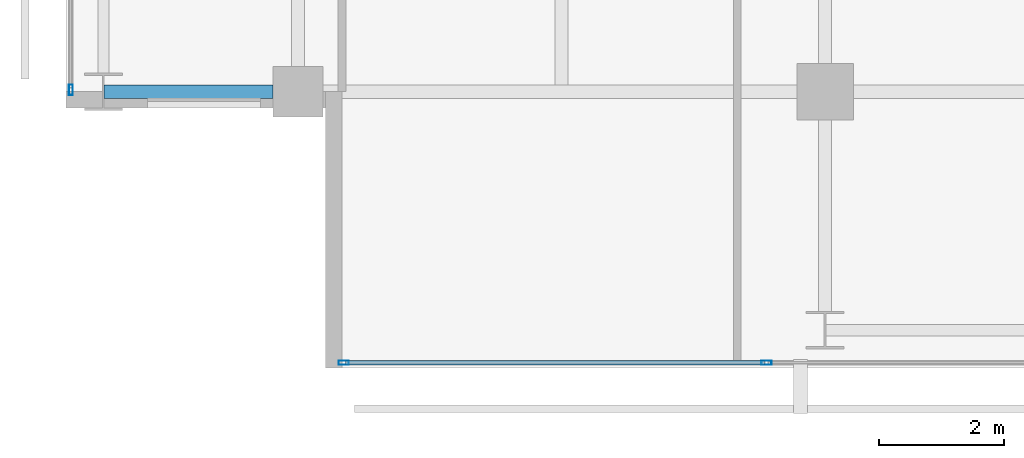
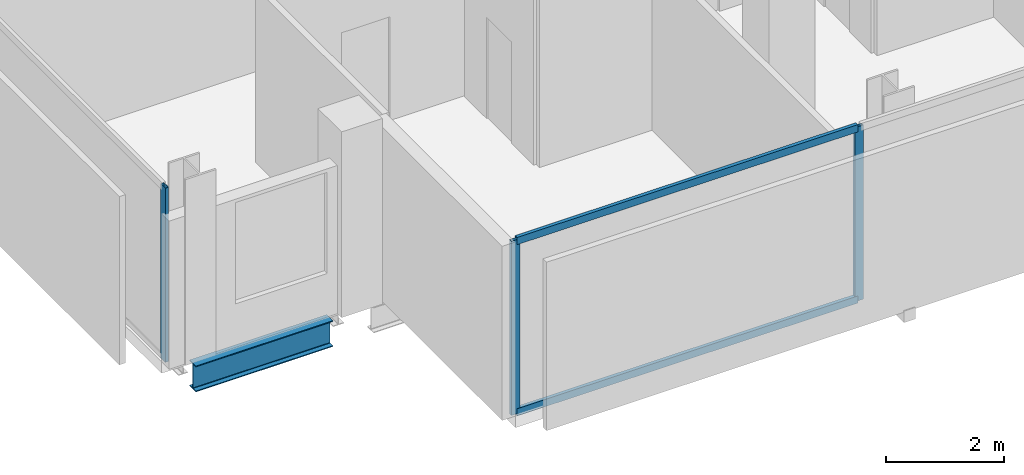
# One storey, part 2 of 33: 5 members, 1 beam, 2 elements without a shape of their own.
"""IFC4 building model written with IfcOpenShell, lengths in metres."""

import ifcopenshell
import ifcopenshell.guid

model = None  # the IFC model being written
_history = None  # IfcOwnerHistory: only IFC2X3 demands one
_inside = {}  # id of a spatial element -> (the spatial element, [elements in it])
_under = {}  # id of a project, library or spatial element -> (it, [spatial elements below it])
_declared = {}  # id of a project -> (the project, [libraries it declares])
_typed = {}  # id of a type object -> (the type object, [elements of that type])
_made_of = {}  # id of a material, layer set ... -> (it, [elements and type objects made of it])


def new_model(schema):
    """Start an empty IFC model of exactly this schema.

    Asked for "IFC4X3", IfcOpenShell would pick the latest addendum, in which some entities
    have other attributes; the version numbers below select the first issue.
    IFC2X3 requires an IfcOwnerHistory on every rooted entity: one is made here for all.
    """
    global model, _history
    if schema == "IFC4X3":
        model = ifcopenshell.file(schema_version=(4, 3, 0, 0))
    else:
        model = ifcopenshell.file(schema=schema)
    _inside.clear()
    _under.clear()
    _declared.clear()
    _typed.clear()
    _made_of.clear()
    _history = None
    if model.schema == "IFC2X3":
        org = make("IfcOrganization", Name="unknown")
        user = make(
            "IfcPersonAndOrganization",
            ThePerson=make("IfcPerson", FamilyName="unknown"),
            TheOrganization=org,
        )
        app = make(
            "IfcApplication",
            ApplicationDeveloper=org,
            Version="unknown",
            ApplicationFullName="unknown",
            ApplicationIdentifier="unknown",
        )
        _history = make(
            "IfcOwnerHistory",
            OwningUser=user,
            OwningApplication=app,
            ChangeAction="ADDED",
            CreationDate=0,
        )
    return model


def make(cls, **values):
    """One entity of the class cls with the attributes given. An attribute that is None is left unset."""
    return model.create_entity(
        cls, **{name: value for name, value in values.items() if value is not None}
    )


def rooted(cls, **values):
    """An entity with a GlobalId (a new one), such as an element, a storey or a relation."""
    return make(cls, GlobalId=ifcopenshell.guid.new(), OwnerHistory=_history, **values)


def si_unit(unit_type, name, prefix=None):
    """IfcSIUnit, for example si_unit("LENGTHUNIT", "METRE", prefix="MILLI")."""
    return make("IfcSIUnit", UnitType=unit_type, Prefix=prefix, Name=name)


def assignment(units):
    """IfcUnitAssignment: the units of a project."""
    return None if units is None else make("IfcUnitAssignment", Units=units)


def point(xyz):
    """IfcCartesianPoint."""
    return None if xyz is None else make("IfcCartesianPoint", Coordinates=xyz)


def direction(xyz):
    """IfcDirection."""
    return None if xyz is None else make("IfcDirection", DirectionRatios=xyz)


def frame(location, z_axis=None, x_axis=None):
    """IfcAxis2Placement3D, a coordinate frame: its origin and axes. An axis left out is left unset."""
    return make(
        "IfcAxis2Placement3D",
        Location=point(location),
        Axis=direction(z_axis),
        RefDirection=direction(x_axis),
    )


def frame_2d(location, x_axis=None):
    """IfcAxis2Placement2D, a coordinate frame in the plane: its origin and x axis."""
    return make(
        "IfcAxis2Placement2D", Location=point(location), RefDirection=direction(x_axis)
    )


def origin():
    """The frame at (0, 0, 0) with its axes left unset."""
    return frame((0.0, 0.0, 0.0))


def origin_2d():
    """The frame at (0, 0) in the plane with its x axis left unset."""
    return frame_2d((0.0, 0.0))


def place(relative_to, where):
    """IfcLocalPlacement: puts the frame where relative to a parent placement (None: the world)."""
    return make(
        "IfcLocalPlacement", PlacementRelTo=relative_to, RelativePlacement=where
    )


def context(
    kind, dimensions, precision=None, world=None, true_north=None, identifier=None
):
    """IfcGeometricRepresentationContext, for example the 3D "Model" context."""
    return make(
        "IfcGeometricRepresentationContext",
        ContextIdentifier=identifier,
        ContextType=kind,
        CoordinateSpaceDimension=dimensions,
        Precision=precision,
        WorldCoordinateSystem=world,
        TrueNorth=true_north,
    )


def subcontext(parent, identifier, kind, view, scale=None):
    """IfcGeometricRepresentationSubContext, for example "Body" below "Model"."""
    return make(
        "IfcGeometricRepresentationSubContext",
        ContextIdentifier=identifier,
        ContextType=kind,
        ParentContext=parent,
        TargetScale=scale,
        TargetView=view,
    )


def project(units=None, contexts=None):
    """IfcProject with its units and contexts."""
    return rooted(
        "IfcProject",
        Name="project",
        RepresentationContexts=contexts,
        UnitsInContext=assignment(units),
    )


def spatial(cls, under=None, at=None, **own):
    """A site, building, storey or space (cls), placed at a placement, below another one or the project."""
    s = rooted(cls, ObjectPlacement=at, **own)
    if under is not None:
        _under.setdefault(under.id(), (under, []))[1].append(s)
    return s


def profile(cls, at=None, kind="AREA", **sizes):
    """A parametric profile (cls). Its sizes go by their IFC names, for example OverallWidth=200.0."""
    return make(cls, ProfileType=kind, Position=at, **sizes)


def hollow_rectangle(**sizes):
    """IfcRectangleHollowProfileDef."""
    return profile("IfcRectangleHollowProfileDef", **sizes)


def i_section(**sizes):
    """IfcIShapeProfileDef."""
    return profile("IfcIShapeProfileDef", **sizes)


def extrude(swept, where, along, depth):
    """IfcExtrudedAreaSolid: the profile swept, set in the frame where, extruded along a direction by depth."""
    return make(
        "IfcExtrudedAreaSolid",
        SweptArea=swept,
        Position=where,
        ExtrudedDirection=direction(along),
        Depth=depth,
    )


def shape(context_of_items, identifier, shape_type, items):
    """IfcShapeRepresentation: the items that make up one representation, for example the "Body"."""
    return make(
        "IfcShapeRepresentation",
        ContextOfItems=context_of_items,
        RepresentationIdentifier=identifier,
        RepresentationType=shape_type,
        Items=items,
    )


def material(Name=None, Category=None):
    """IfcMaterial."""
    return make("IfcMaterial", Name=Name, Category=Category)


def layer(
    of_material, thickness, ventilated=None, Name=None, Category=None, Priority=None
):
    """IfcMaterialLayer: one layer of a wall or slab, of a material (None: an air gap)."""
    return make(
        "IfcMaterialLayer",
        Material=of_material,
        LayerThickness=thickness,
        IsVentilated=ventilated,
        Name=Name,
        Category=Category,
        Priority=Priority,
    )


def layer_set(layers, Name=None):
    """IfcMaterialLayerSet."""
    return make("IfcMaterialLayerSet", MaterialLayers=layers, LayerSetName=Name)


def material_profile(
    of_material, cross_section, Name=None, Category=None, Priority=None
):
    """IfcMaterialProfile: a cross section and its material."""
    return make(
        "IfcMaterialProfile",
        Name=Name,
        Material=of_material,
        Profile=cross_section,
        Priority=Priority,
        Category=Category,
    )


def profile_set(profiles, Name=None, composite=None):
    """IfcMaterialProfileSet."""
    return make(
        "IfcMaterialProfileSet",
        Name=Name,
        MaterialProfiles=profiles,
        CompositeProfile=composite,
    )


def made_of(thing, what):
    """Note that an element or type object is made of a material, layer set ...; save() writes the relation."""
    if what is not None:
        _made_of.setdefault(what.id(), (what, []))[1].append(thing)
    return thing


def type_object(cls, material=None, **own):
    """A type object (cls), such as IfcWallType, which elements share."""
    return made_of(rooted(cls, **own), material)


def element(
    cls,
    number,
    at=None,
    inside=None,
    cuts=None,
    type_object=None,
    material=None,
    context=None,
    identifier="Body",
    shape_type=None,
    held_by="IfcProductDefinitionShape",
    body=None,
    shapes=None,
    **own,
):
    """One element of the class cls, such as IfcWall. Its Tag is "e" and its number.

    at: its placement. inside: the storey or other place that contains it. cuts: it is an
    opening in that element (IfcRelVoidsElement). A single representation is given by context,
    identifier, shape_type and body (its items); several are given by shapes. held_by: the class
    of the entity that holds the representations. save() writes the other relations.
    """
    e = rooted(cls, Tag="e%d" % number, ObjectPlacement=at, **own)
    if body is not None:
        shapes = [shape(context, identifier, shape_type, body)]
    if shapes is not None:
        e.Representation = make(held_by, Representations=shapes)
    if inside is not None:
        _inside.setdefault(inside.id(), (inside, []))[1].append(e)
    if cuts is not None:
        rooted(
            "IfcRelVoidsElement", RelatingBuildingElement=cuts, RelatedOpeningElement=e
        )
    if type_object is not None:
        _typed.setdefault(type_object.id(), (type_object, []))[1].append(e)
    return made_of(e, material)


def aggregate(whole, parts):
    """IfcRelAggregates: a whole, such as a stair, and the parts it consists of."""
    return rooted("IfcRelAggregates", RelatingObject=whole, RelatedObjects=parts)


def save(model, path):
    """Write the relations noted so far, then the file.

    IfcRelAggregates (storeys below a building ...), IfcRelContainedInSpatialStructure (elements
    in a storey), IfcRelDefinesByType, IfcRelAssociatesMaterial and IfcRelDeclares: one each for
    every whole, place, type object, material and project.
    """
    for whole, parts in _under.values():
        aggregate(whole, parts)
    for where, things in _inside.values():
        rooted(
            "IfcRelContainedInSpatialStructure",
            RelatedElements=things,
            RelatingStructure=where,
        )
    for kind, things in _typed.values():
        rooted("IfcRelDefinesByType", RelatedObjects=things, RelatingType=kind)
    for what, things in _made_of.values():
        rooted("IfcRelAssociatesMaterial", RelatedObjects=things, RelatingMaterial=what)
    for by, libraries in _declared.values():
        rooted("IfcRelDeclares", RelatingContext=by, RelatedDefinitions=libraries)
    model.write(path)


model = new_model("IFC4")

# Units and contexts
model_context = context("Model", 3, precision=1e-05, world=origin(), true_north=direction((0.0, 1.0)))
body_context = subcontext(model_context, "Body", "Model", "MODEL_VIEW")
ifc_project = project(units=[si_unit("LENGTHUNIT", "METRE"), si_unit("AREAUNIT", "SQUARE_METRE"), si_unit("VOLUMEUNIT", "CUBIC_METRE"), si_unit("PLANEANGLEUNIT", "RADIAN"), si_unit("MASSUNIT", "GRAM", prefix="KILO")], contexts=[model_context])

# Site, building, storey
site_placement = place(None, origin())
site = spatial("IfcSite", under=ifc_project, at=site_placement, CompositionType="ELEMENT")
building_placement = place(site_placement, origin())
building = spatial("IfcBuilding", under=site, at=building_placement, Name="Maruvema Waterfront Hotel and Observation Tower", CompositionType="ELEMENT")
storey_placement = place(building_placement, frame((0.0, 0.0, 204.39990234375)))
storey = spatial("IfcBuildingStorey", under=building, at=storey_placement, Name="L50", CompositionType="ELEMENT", Elevation=204.39990234375)

# Curtain wall, members
ifc_material_1 = material(Name="Anodised bronze aluminium and solar-control low-E IGU", Category="aluminium")
ifc_layer = layer(ifc_material_1, 0.159912109375, Name="Zone 2 Amber Inner Thermal Curtain Wall System CW-03")
ifc_layer_set = layer_set([ifc_layer], Name="Anodised bronze aluminium and solar-control low-E IGU")
curtain_wall_type = type_object("IfcCurtainWallType", Name="Zone 2 Amber Inner Thermal Curtain Wall System CW-03", PredefinedType="USERDEFINED", material=ifc_layer_set)
curtain_wall_1_placement = place(storey_placement, origin())
curtain_wall_1 = element("IfcCurtainWall", 1, at=curtain_wall_1_placement, inside=storey, type_object=curtain_wall_type, Name="L50 Curtain Wall CW-L50-S", ObjectType="UNITISED CURTAIN WALL", PredefinedType="USERDEFINED")
ifc_material_2 = material(Name="Anodised architectural bronze aluminium", Category="aluminium")
ifc_material_profile_1 = material_profile(ifc_material_2, hollow_rectangle(XDim=0.070068359375, YDim=0.14990234375, WallThickness=0.00390625, at=origin_2d()), Name="ALU-T70x150")
ifc_profile_set_1 = profile_set([ifc_material_profile_1], Name="Anodised architectural bronze aluminium")
member_type_1 = type_object("IfcMemberType", Name="Curtain Wall Horizontal Transom ALU-T70x150", PredefinedType="USERDEFINED", material=ifc_profile_set_1)
member_1_placement = place(storey_placement, frame((17.56005859375, 4.679931640625, 0.030029296875), z_axis=(1.0, 0.0, 0.0), x_axis=(0.0, 1.0, 0.0)))
member_1 = element("IfcMember", 2, at=member_1_placement, type_object=member_type_1, Name="CW-03 transom 1.1", ObjectType="TRANSOM", PredefinedType="USERDEFINED", context=body_context, shape_type="SweptSolid", body=[
    extrude(hollow_rectangle(XDim=0.070068359375, YDim=0.14990234375, WallThickness=0.00390625, at=origin_2d()), origin(), (0.0, 0.0, 1.0), 6.676513671875),
])
member_2_placement = place(storey_placement, frame((17.56005859375, 4.679931640625, 3.580078125), z_axis=(1.0, 0.0, 0.0), x_axis=(0.0, 1.0, 0.0)))
member_2 = element("IfcMember", 3, at=member_2_placement, type_object=member_type_1, Name="CW-03 transom 1.2", ObjectType="TRANSOM", PredefinedType="USERDEFINED", context=body_context, shape_type="SweptSolid", body=[
    extrude(hollow_rectangle(XDim=0.070068359375, YDim=0.14990234375, WallThickness=0.00390625, at=origin_2d()), origin(), (0.0, 0.0, 1.0), 6.676513671875),
])
ifc_material_3 = material(Name="Anodised architectural bronze aluminium", Category="aluminium")
ifc_material_profile_2 = material_profile(ifc_material_3, hollow_rectangle(XDim=0.06494140625, YDim=0.1650390625, WallThickness=0.00390625, at=origin_2d()), Name="ALU-M65x165")
ifc_profile_set_2 = profile_set([ifc_material_profile_2], Name="Anodised architectural bronze aluminium")
member_type_2 = type_object("IfcMemberType", Name="Curtain Wall Primary Mullion ALU-M65x165", PredefinedType="MULLION", material=ifc_profile_set_2)
member_3_placement = place(storey_placement, frame((17.530029296875, 4.679931640625, 0.0), z_axis=(0.0, 0.0, 1.0), x_axis=(0.0, 1.0, 0.0)))
member_3 = element("IfcMember", 4, at=member_3_placement, type_object=member_type_2, Name="CW-03 mullion 1", PredefinedType="MULLION", context=body_context, shape_type="SweptSolid", body=[
    extrude(hollow_rectangle(XDim=0.06494140625, YDim=0.1650390625, WallThickness=0.00390625, at=origin_2d()), origin(), (0.0, 0.0, 1.0), 3.610107421875),
])
member_4_placement = place(storey_placement, frame((24.2666015625, 4.679931640625, 0.0), z_axis=(0.0, 0.0, 1.0), x_axis=(0.0, 1.0, 0.0)))
member_4 = element("IfcMember", 5, at=member_4_placement, type_object=member_type_2, Name="CW-03 mullion 2", PredefinedType="MULLION", context=body_context, shape_type="SweptSolid", body=[
    extrude(hollow_rectangle(XDim=0.06494140625, YDim=0.1650390625, WallThickness=0.00390625, at=origin_2d()), origin(), (0.0, 0.0, 1.0), 3.610107421875),
])
aggregate(curtain_wall_1, [member_3, member_4, member_1, member_2])

# Curtain wall, member
curtain_wall_2_placement = place(storey_placement, origin())
curtain_wall_2 = element("IfcCurtainWall", 6, at=curtain_wall_2_placement, inside=storey, type_object=curtain_wall_type, Name="L50 Curtain Wall CW-L50-W", ObjectType="UNITISED CURTAIN WALL", PredefinedType="USERDEFINED")
member_5_placement = place(storey_placement, frame((13.179931640625, 9.030029296875, 0.0), z_axis=(0.0, 0.0, 1.0), x_axis=(1.0, 0.0, 0.0)))
member_5 = element("IfcMember", 7, at=member_5_placement, type_object=member_type_2, Name="CW-03 mullion 7", PredefinedType="MULLION", context=body_context, shape_type="SweptSolid", body=[
    extrude(hollow_rectangle(XDim=0.06494140625, YDim=0.1650390625, WallThickness=0.00390625, at=origin_2d()), origin(), (0.0, 0.0, 1.0), 3.610107421875),
])
aggregate(curtain_wall_2, [member_5])

# Beam
ifc_material_4 = material(Name="Steel ASTM A572 Grade 50", Category="steel")
ifc_material_profile_3 = material_profile(ifc_material_4, i_section(OverallWidth=0.2109375, OverallDepth=0.5390625, WebThickness=0.01171875, FlangeThickness=0.018798828125, FilletRadius=0.014892578125, at=origin_2d()), Name="W530x109.0")
ifc_profile_set_3 = profile_set([ifc_material_profile_3], Name="Steel ASTM A572 Grade 50")
beam_type = type_object("IfcBeamType", Name="Primary Floor Girder W530x109.0", PredefinedType="BEAM", material=ifc_profile_set_3)
beam_placement = place(storey_placement, frame((13.71240234375, 9.0, -0.509521484375), z_axis=(1.0, 0.0, 0.0), x_axis=(0.0, 1.0, 0.0)))
element("IfcBeam", 8, at=beam_placement, inside=storey, type_object=beam_type, Name="L50 Floor Girder EW-04", PredefinedType="BEAM", context=body_context, shape_type="SweptSolid", body=[
    extrude(i_section(OverallWidth=0.2109375, OverallDepth=0.5390625, WebThickness=0.01171875, FlangeThickness=0.018798828125, FilletRadius=0.014892578125, at=origin_2d()), origin(), (0.0, 0.0, 1.0), 2.6875),
])

save(model, "model.ifc")
